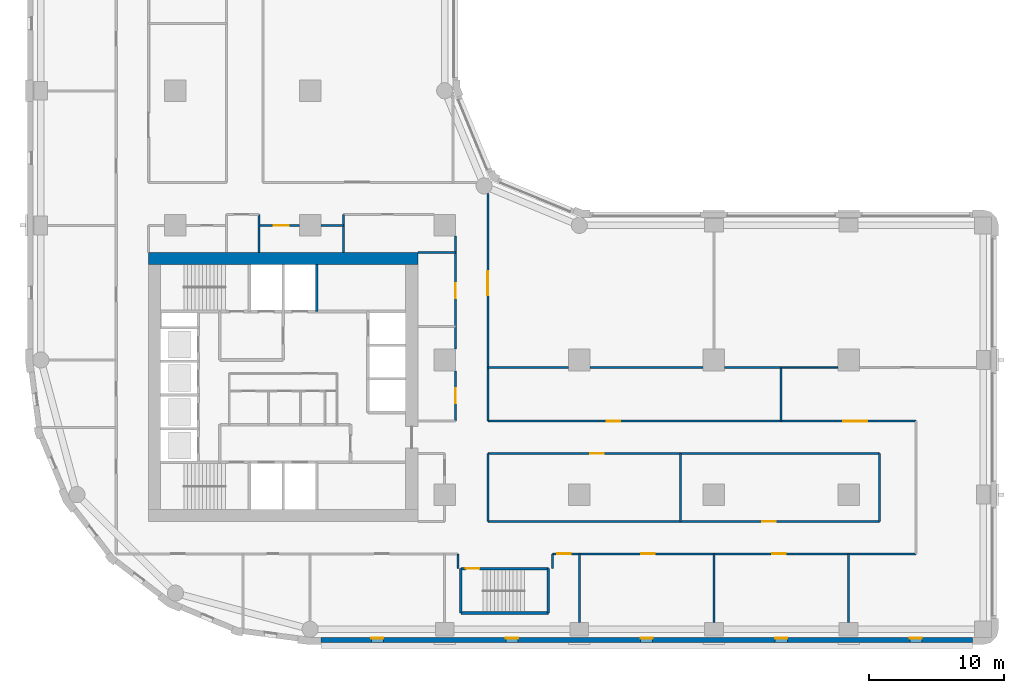
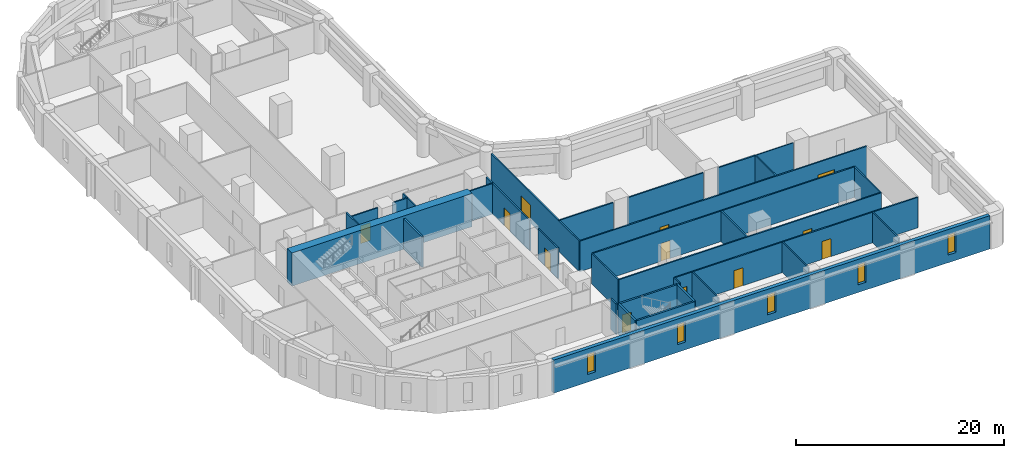
# One storey, part 4 of 11: 32 walls, 12 doors, 5 windows, 17 openings.
"""IFC4 building model written with IfcOpenShell, lengths in metres."""

from ifc_helpers import new_model, si_unit, direction, frame, frame_2d, origin, place, context, subcontext, project, spatial, rectangle, extrude, material, layer, layer_set, type_object, element, fill, save


model = new_model("IFC4")

# Units and contexts
model_context = context("Model", 3, precision=1e-05, world=origin(), true_north=direction((0.0, 1.0)))
body_context = subcontext(model_context, "Body", "Model", "MODEL_VIEW")
ifc_project = project(units=[si_unit("LENGTHUNIT", "METRE"), si_unit("AREAUNIT", "SQUARE_METRE"), si_unit("VOLUMEUNIT", "CUBIC_METRE"), si_unit("PLANEANGLEUNIT", "RADIAN"), si_unit("MASSUNIT", "GRAM", prefix="KILO")], contexts=[model_context])

# Site, building, storey
site_placement = place(None, origin())
site = spatial("IfcSite", under=ifc_project, at=site_placement, CompositionType="ELEMENT")
building_placement = place(site_placement, origin())
building = spatial("IfcBuilding", under=site, at=building_placement, Name="Qaws Garden Tower", CompositionType="ELEMENT")
storey_placement = place(building_placement, frame((0.0, 0.0, 23.699951171875)))
storey = spatial("IfcBuildingStorey", under=building, at=storey_placement, Name="L05", CompositionType="ELEMENT", Elevation=23.699951171875)

# Wall, openings, windows
ifc_material_1 = material(Name="Clay facing brick masonry", Category="masonry")
ifc_layer_1 = layer(ifc_material_1, 0.39990234375)
ifc_layer_set_1 = layer_set([ifc_layer_1], Name="Clay facing brick masonry")
wall_type_1 = type_object("IfcWallType", Name="Brick infill wall 400", PredefinedType="SOLIDWALL", material=ifc_layer_set_1)
wall_1_placement = place(storey_placement, frame((20.800048828125, -0.800048828125, 0.0), z_axis=(0.0, 0.0, 1.0), x_axis=(1.0, 0.0, 0.0)))
wall_1 = element("IfcWall", 1, at=wall_1_placement, inside=storey, type_object=wall_type_1, Name="E-L05-infill-00", PredefinedType="SOLIDWALL", context=body_context, shape_type="SweptSolid", body=[
    extrude(rectangle(XDim=48.39990234375, YDim=0.39990234375, at=frame_2d((24.199951171875, 0.0))), origin(), (0.0, 0.0, 1.0), 3.900146484375),
])
opening_1_placement = place(wall_1_placement, frame((3.75, 0.0, 0.89990234375)))
opening_1 = element("IfcOpeningElement", 2, at=opening_1_placement, cuts=wall_1, Name="Opening W09", PredefinedType="OPENING", context=body_context, shape_type="SweptSolid", body=[
    extrude(rectangle(XDim=0.89990234375, YDim=2.35009765625, at=frame_2d((0.449951171875, 1.175048828125))), frame((0.0, 0.2099609375, 0.0), z_axis=(0.0, -1.0, 0.0), x_axis=(1.0, 0.0, 0.0)), (0.0, 0.0, 1.0), 0.419921875),
])
opening_2_placement = place(wall_1_placement, frame((13.75, 0.0, 0.89990234375)))
opening_2 = element("IfcOpeningElement", 3, at=opening_2_placement, cuts=wall_1, Name="Opening W09", PredefinedType="OPENING", context=body_context, shape_type="SweptSolid", body=[
    extrude(rectangle(XDim=0.89990234375, YDim=2.35009765625, at=frame_2d((0.449951171875, 1.175048828125))), frame((0.0, 0.2099609375, 0.0), z_axis=(0.0, -1.0, 0.0), x_axis=(1.0, 0.0, 0.0)), (0.0, 0.0, 1.0), 0.419921875),
])
opening_3_placement = place(wall_1_placement, frame((23.75, 0.0, 0.89990234375)))
opening_3 = element("IfcOpeningElement", 4, at=opening_3_placement, cuts=wall_1, Name="Opening W09", PredefinedType="OPENING", context=body_context, shape_type="SweptSolid", body=[
    extrude(rectangle(XDim=0.89990234375, YDim=2.35009765625, at=frame_2d((0.449951171875, 1.175048828125))), frame((0.0, 0.2099609375, 0.0), z_axis=(0.0, -1.0, 0.0), x_axis=(1.0, 0.0, 0.0)), (0.0, 0.0, 1.0), 0.419921875),
])
opening_4_placement = place(wall_1_placement, frame((33.75, 0.0, 0.89990234375)))
opening_4 = element("IfcOpeningElement", 5, at=opening_4_placement, cuts=wall_1, Name="Opening W09", PredefinedType="OPENING", context=body_context, shape_type="SweptSolid", body=[
    extrude(rectangle(XDim=0.89990234375, YDim=2.35009765625, at=frame_2d((0.449951171875, 1.175048828125))), frame((0.0, 0.2099609375, 0.0), z_axis=(0.0, -1.0, 0.0), x_axis=(1.0, 0.0, 0.0)), (0.0, 0.0, 1.0), 0.419921875),
])
opening_5_placement = place(wall_1_placement, frame((43.75, 0.0, 0.89990234375)))
opening_5 = element("IfcOpeningElement", 6, at=opening_5_placement, cuts=wall_1, Name="Opening W09", PredefinedType="OPENING", context=body_context, shape_type="SweptSolid", body=[
    extrude(rectangle(XDim=0.89990234375, YDim=2.35009765625, at=frame_2d((0.449951171875, 1.175048828125))), frame((0.0, 0.2099609375, 0.0), z_axis=(0.0, -1.0, 0.0), x_axis=(1.0, 0.0, 0.0)), (0.0, 0.0, 1.0), 0.419921875),
])
ifc_material_2 = material(Name="Aluminium framed window, clear glazing", Category="aluminium")
window_type = type_object("IfcWindowType", Name="Slit window 900 x 2350", PartitioningType="SINGLE_PANEL", PredefinedType="WINDOW", material=ifc_material_2)
window_1_placement = place(opening_1_placement, origin())
window_1 = element("IfcWindow", 7, at=window_1_placement, inside=storey, type_object=window_type, Name="E-L05-window-00-0", OverallHeight=2.35009765625, OverallWidth=0.89990234375, PartitioningType="SINGLE_PANEL", PredefinedType="WINDOW", context=body_context, shape_type="SweptSolid", body=[
    extrude(rectangle(XDim=0.89990234375, YDim=2.35009765625, at=frame_2d((0.449951171875, 1.175048828125))), frame((0.0, 0.159912109375, 0.0), z_axis=(0.0, -1.0, 0.0), x_axis=(1.0, 0.0, 0.0)), (0.0, 0.0, 1.0), 0.06005859375),
])
fill(opening_1, window_1)
window_2_placement = place(opening_2_placement, origin())
window_2 = element("IfcWindow", 8, at=window_2_placement, inside=storey, type_object=window_type, Name="E-L05-window-01-0", OverallHeight=2.35009765625, OverallWidth=0.89990234375, PartitioningType="SINGLE_PANEL", PredefinedType="WINDOW", context=body_context, shape_type="SweptSolid", body=[
    extrude(rectangle(XDim=0.89990234375, YDim=2.35009765625, at=frame_2d((0.449951171875, 1.175048828125))), frame((0.0, 0.159912109375, 0.0), z_axis=(0.0, -1.0, 0.0), x_axis=(1.0, 0.0, 0.0)), (0.0, 0.0, 1.0), 0.06005859375),
])
fill(opening_2, window_2)
window_3_placement = place(opening_3_placement, origin())
window_3 = element("IfcWindow", 9, at=window_3_placement, inside=storey, type_object=window_type, Name="E-L05-window-02-0", OverallHeight=2.35009765625, OverallWidth=0.89990234375, PartitioningType="SINGLE_PANEL", PredefinedType="WINDOW", context=body_context, shape_type="SweptSolid", body=[
    extrude(rectangle(XDim=0.89990234375, YDim=2.35009765625, at=frame_2d((0.449951171875, 1.175048828125))), frame((0.0, 0.159912109375, 0.0), z_axis=(0.0, -1.0, 0.0), x_axis=(1.0, 0.0, 0.0)), (0.0, 0.0, 1.0), 0.06005859375),
])
fill(opening_3, window_3)
window_4_placement = place(opening_4_placement, origin())
window_4 = element("IfcWindow", 10, at=window_4_placement, inside=storey, type_object=window_type, Name="E-L05-window-03-0", OverallHeight=2.35009765625, OverallWidth=0.89990234375, PartitioningType="SINGLE_PANEL", PredefinedType="WINDOW", context=body_context, shape_type="SweptSolid", body=[
    extrude(rectangle(XDim=0.89990234375, YDim=2.35009765625, at=frame_2d((0.449951171875, 1.175048828125))), frame((0.0, 0.159912109375, 0.0), z_axis=(0.0, -1.0, 0.0), x_axis=(1.0, 0.0, 0.0)), (0.0, 0.0, 1.0), 0.06005859375),
])
fill(opening_4, window_4)
window_5_placement = place(opening_5_placement, origin())
window_5 = element("IfcWindow", 11, at=window_5_placement, inside=storey, type_object=window_type, Name="E-L05-window-04-0", OverallHeight=2.35009765625, OverallWidth=0.89990234375, PartitioningType="SINGLE_PANEL", PredefinedType="WINDOW", context=body_context, shape_type="SweptSolid", body=[
    extrude(rectangle(XDim=0.89990234375, YDim=2.35009765625, at=frame_2d((0.449951171875, 1.175048828125))), frame((0.0, 0.159912109375, 0.0), z_axis=(0.0, -1.0, 0.0), x_axis=(1.0, 0.0, 0.0)), (0.0, 0.0, 1.0), 0.06005859375),
])
fill(opening_5, window_5)

# Wall
ifc_material_3 = material(Name="Concrete C80", Category="concrete")
ifc_layer_2 = layer(ifc_material_3, 0.199951171875)
ifc_layer_set_2 = layer_set([ifc_layer_2], Name="Concrete C80")
wall_type_2 = type_object("IfcWallType", Name="Core shaft wall 200 C80", PredefinedType="SHEAR", material=ifc_layer_set_2)
wall_2_placement = place(storey_placement, frame((31.199951171875, 1.199951171875, 0.0), z_axis=(0.0, 0.0, 1.0), x_axis=(1.0, 0.0, 0.0)))
element("IfcWall", 12, at=wall_2_placement, inside=storey, type_object=wall_type_2, Name="Shaft wall", PredefinedType="SHEAR", context=body_context, shape_type="SweptSolid", body=[
    extrude(rectangle(XDim=6.5, YDim=0.199951171875, at=frame_2d((3.25, 0.0))), origin(), (0.0, 0.0, 1.0), 3.580078125),
])

# Wall, opening, door
wall_3_placement = place(storey_placement, frame((31.199951171875, 4.5, 0.0), z_axis=(0.0, 0.0, 1.0), x_axis=(1.0, 0.0, 0.0)))
wall_3 = element("IfcWall", 13, at=wall_3_placement, inside=storey, type_object=wall_type_2, Name="Shaft wall", PredefinedType="SHEAR", context=body_context, shape_type="SweptSolid", body=[
    extrude(rectangle(XDim=6.5, YDim=0.199951171875, at=frame_2d((3.25, 0.0))), origin(), (0.0, 0.0, 1.0), 3.580078125),
])
opening_6_placement = place(wall_3_placement, frame((0.375, 0.0, 0.0)))
opening_6 = element("IfcOpeningElement", 14, at=opening_6_placement, cuts=wall_3, Name="Opening SD12", PredefinedType="OPENING", context=body_context, shape_type="SweptSolid", body=[
    extrude(rectangle(XDim=1.0, YDim=2.10009765625, at=frame_2d((0.5, 1.050048828125))), frame((0.0, 0.10986328125, 0.0), z_axis=(0.0, -1.0, 0.0), x_axis=(1.0, 0.0, 0.0)), (0.0, 0.0, 1.0), 0.219970703125),
])
ifc_material_4 = material(Name="Steel S235", Category="steel")
door_type_1 = type_object("IfcDoorType", Name="Stair door 1000x2100", OperationType="SINGLE_SWING_RIGHT", PredefinedType="DOOR", material=ifc_material_4)
door_1_placement = place(opening_6_placement, frame((1.0, 0.0, 0.0), z_axis=(0.0, 0.0, 1.0), x_axis=(-1.0, 0.0, 0.0)))
door_1 = element("IfcDoor", 15, at=door_1_placement, inside=storey, type_object=door_type_1, Name="Stair 5 door", OperationType="SINGLE_SWING_RIGHT", OverallHeight=2.10009765625, OverallWidth=1.0, PredefinedType="DOOR", context=body_context, shape_type="SweptSolid", body=[
    extrude(rectangle(XDim=1.0, YDim=2.10009765625, at=frame_2d((0.5, 1.050048828125))), frame((0.0, 0.02490234375, 0.0), z_axis=(0.0, -1.0, 0.0), x_axis=(1.0, 0.0, 0.0)), (0.0, 0.0, 1.0), 0.050048828125),
])
fill(opening_6, door_1)

# Walls
wall_4_placement = place(storey_placement, frame((20.5, 23.60009765625, 0.0), z_axis=(0.0, 0.0, 1.0), x_axis=(0.0, 1.0, 0.0)))
element("IfcWall", 16, at=wall_4_placement, inside=storey, type_object=wall_type_2, Name="Shaft wall", PredefinedType="SHEAR", context=body_context, shape_type="SweptSolid", body=[
    extrude(rectangle(XDim=3.5, YDim=0.199951171875, at=frame_2d((1.75, 0.0))), origin(), (0.0, 0.0, 1.0), 3.580078125),
])
for number, where, z_axis, x_axis, name in (
    (17, (31.199951171875, 1.199951171875, 0.0), (0.0, 0.0, 1.0), (0.0, 1.0, 0.0), "Shaft wall"),
    (18, (37.699951171875, 1.199951171875, 0.0), (0.0, 0.0, 1.0), (0.0, 1.0, 0.0), "Shaft wall"),
):
    element("IfcWall", number, at=place(storey_placement, frame(where, z_axis=z_axis, x_axis=x_axis)), inside=storey, type_object=wall_type_2, Name=name, PredefinedType="SHEAR", context=body_context, shape_type="SweptSolid", body=[
        extrude(rectangle(XDim=3.300048828125, YDim=0.199951171875, at=frame_2d((1.64990234375, 0.0))), origin(), (0.0, 0.0, 1.0), 3.580078125),
    ])
ifc_material_5 = material(Name="Concrete C80", Category="concrete")
ifc_layer_3 = layer(ifc_material_5, 0.89990234375)
ifc_layer_set_3 = layer_set([ifc_layer_3], Name="Concrete C80")
wall_type_3 = type_object("IfcWallType", Name="Core wall 900 C80", PredefinedType="SHEAR", material=ifc_layer_set_3)
wall_5_placement = place(storey_placement, frame((28.0, 27.550048828125, 0.0), z_axis=(0.0, 0.0, 1.0), x_axis=(-1.0, 0.0, 0.0)))
element("IfcWall", 19, at=wall_5_placement, inside=storey, type_object=wall_type_3, Name="Core wall L05 north", PredefinedType="SHEAR", context=body_context, shape_type="SweptSolid", body=[
    extrude(rectangle(XDim=20.0, YDim=0.89990234375, at=frame_2d((10.0, 0.0))), origin(), (0.0, 0.0, 1.0), 3.900146484375),
])
ifc_material_6 = material(Name="Gypsum board partition")
ifc_layer_4 = layer(ifc_material_6, 0.10009765625)
ifc_layer_set_4 = layer_set([ifc_layer_4], Name="Gypsum board partition")
wall_type_4 = type_object("IfcWallType", Name="PARTITION 100", PredefinedType="PARTITIONING", material=ifc_layer_set_4)
wall_6_placement = place(storey_placement, frame((55.0, 19.449951171875, 0.0), z_axis=(0.0, 0.0, 1.0), x_axis=(1.0, 0.0, 0.0)))
element("IfcWall", 20, at=wall_6_placement, inside=storey, type_object=wall_type_4, Name="O-L05-wall-002", PredefinedType="PARTITIONING", context=body_context, shape_type="SweptSolid", body=[
    extrude(rectangle(XDim=4.199951171875, YDim=0.10009765625, at=frame_2d((2.10009765625, 0.0))), origin(), (0.0, 0.0, 1.0), 3.580078125),
])
ifc_material_7 = material(Name="Gypsum board partition")
ifc_layer_5 = layer(ifc_material_7, 0.14990234375)
ifc_layer_set_5 = layer_set([ifc_layer_5], Name="Gypsum board partition")
wall_type_5 = type_object("IfcWallType", Name="PARTITION 150 EI 60", PredefinedType="PARTITIONING", material=ifc_layer_set_5)
for number, where, z_axis, x_axis, name in (
    (21, (16.199951171875, 28.0, 0.0), (0.0, 0.0, 1.0), (0.0, 1.0, 0.0), "O-L05-wall-012"),
    (22, (22.5, 28.0, 0.0), (0.0, 0.0, 1.0), (0.0, 1.0, 0.0), "O-L05-wall-016"),
):
    element("IfcWall", number, at=place(storey_placement, frame(where, z_axis=z_axis, x_axis=x_axis)), inside=storey, type_object=wall_type_5, Name=name, PredefinedType="PARTITIONING", context=body_context, shape_type="SweptSolid", body=[
        extrude(rectangle(XDim=2.800048828125, YDim=0.14990234375, at=frame_2d((1.39990234375, 0.0))), origin(), (0.0, 0.0, 1.0), 3.580078125),
    ])

# Wall, opening, door
wall_7_placement = place(storey_placement, frame((30.800048828125, 15.449951171875, 0.0), z_axis=(0.0, 0.0, 1.0), x_axis=(0.0, 1.0, 0.0)))
wall_7 = element("IfcWall", 23, at=wall_7_placement, inside=storey, type_object=wall_type_5, Name="O-L05-wall-022", PredefinedType="PARTITIONING", context=body_context, shape_type="SweptSolid", body=[
    extrude(rectangle(XDim=3.75, YDim=0.14990234375, at=frame_2d((1.875, 0.0))), origin(), (0.0, 0.0, 1.0), 3.580078125),
])
opening_7_placement = place(wall_7_placement, frame((1.35009765625, 0.0, 0.0)))
opening_7 = element("IfcOpeningElement", 24, at=opening_7_placement, cuts=wall_7, Name="Opening A211", PredefinedType="OPENING", context=body_context, shape_type="SweptSolid", body=[
    extrude(rectangle(XDim=1.10009765625, YDim=2.10009765625, at=frame_2d((0.550048828125, 1.050048828125))), frame((0.0, 0.0849609375, 0.0), z_axis=(0.0, -1.0, 0.0), x_axis=(1.0, 0.0, 0.0)), (0.0, 0.0, 1.0), 0.169921875),
])
ifc_material_8 = material(Name="Timber door leaf", Category="wood")
door_type_2 = type_object("IfcDoorType", Name="SERVICE ROOM DOOR 1100 X 2100", OperationType="SINGLE_SWING_LEFT", PredefinedType="DOOR", material=ifc_material_8)
door_2_placement = place(opening_7_placement, origin())
door_2 = element("IfcDoor", 25, at=door_2_placement, inside=storey, type_object=door_type_2, Name="O-L05-door-011", OperationType="SINGLE_SWING_RIGHT", OverallHeight=2.10009765625, OverallWidth=1.10009765625, PredefinedType="DOOR", context=body_context, shape_type="SweptSolid", body=[
    extrude(rectangle(XDim=1.10009765625, YDim=2.10009765625, at=frame_2d((0.550048828125, 1.050048828125))), frame((0.0, 0.02490234375, 0.0), z_axis=(0.0, -1.0, 0.0), x_axis=(1.0, 0.0, 0.0)), (0.0, 0.0, 1.0), 0.050048828125),
])
fill(opening_7, door_2)

wall_8_placement = place(storey_placement, frame((30.800048828125, 20.800048828125, 0.0), z_axis=(0.0, 0.0, 1.0), x_axis=(0.0, 1.0, 0.0)))
wall_8 = element("IfcWall", 26, at=wall_8_placement, inside=storey, type_object=wall_type_5, Name="O-L05-wall-023", PredefinedType="PARTITIONING", context=body_context, shape_type="SweptSolid", body=[
    extrude(rectangle(XDim=8.39990234375, YDim=0.14990234375, at=frame_2d((4.199951171875, 0.0))), origin(), (0.0, 0.0, 1.0), 3.580078125),
])
opening_8_placement = place(wall_8_placement, frame((3.800048828125, 0.0, 0.0)))
opening_8 = element("IfcOpeningElement", 27, at=opening_8_placement, cuts=wall_8, Name="Opening A213", PredefinedType="OPENING", context=body_context, shape_type="SweptSolid", body=[
    extrude(rectangle(XDim=1.10009765625, YDim=2.10009765625, at=frame_2d((0.550048828125, 1.050048828125))), frame((0.0, 0.0849609375, 0.0), z_axis=(0.0, -1.0, 0.0), x_axis=(1.0, 0.0, 0.0)), (0.0, 0.0, 1.0), 0.169921875),
])
door_3_placement = place(opening_8_placement, origin())
door_3 = element("IfcDoor", 28, at=door_3_placement, inside=storey, type_object=door_type_2, Name="O-L05-door-013", OperationType="SINGLE_SWING_RIGHT", OverallHeight=2.10009765625, OverallWidth=1.10009765625, PredefinedType="DOOR", context=body_context, shape_type="SweptSolid", body=[
    extrude(rectangle(XDim=1.10009765625, YDim=2.10009765625, at=frame_2d((0.550048828125, 1.050048828125))), frame((0.0, 0.02490234375, 0.0), z_axis=(0.0, -1.0, 0.0), x_axis=(1.0, 0.0, 0.0)), (0.0, 0.0, 1.0), 0.050048828125),
])
fill(opening_8, door_3)

# Walls
wall_9_placement = place(storey_placement, frame((31.0, 4.5, 0.0), z_axis=(0.0, 0.0, 1.0), x_axis=(0.0, 1.0, 0.0)))
element("IfcWall", 29, at=wall_9_placement, inside=storey, type_object=wall_type_5, Name="O-L05-wall-024", PredefinedType="PARTITIONING", context=body_context, shape_type="SweptSolid", body=[
    extrude(rectangle(XDim=1.10009765625, YDim=0.14990234375, at=frame_2d((0.550048828125, 0.0))), origin(), (0.0, 0.0, 1.0), 3.580078125),
])
wall_10_placement = place(storey_placement, frame((33.199951171875, 8.0, 0.0), z_axis=(0.0, 0.0, 1.0), x_axis=(0.0, 1.0, 0.0)))
element("IfcWall", 30, at=wall_10_placement, inside=storey, type_object=wall_type_5, Name="O-L05-wall-025", PredefinedType="PARTITIONING", context=body_context, shape_type="SweptSolid", body=[
    extrude(rectangle(XDim=5.050048828125, YDim=0.14990234375, at=frame_2d((2.52490234375, 0.0))), origin(), (0.0, 0.0, 1.0), 3.580078125),
])

# Wall, opening, door
wall_11_placement = place(storey_placement, frame((33.199951171875, 15.449951171875, 0.0), z_axis=(0.0, 0.0, 1.0), x_axis=(0.0, 1.0, 0.0)))
wall_11 = element("IfcWall", 31, at=wall_11_placement, inside=storey, type_object=wall_type_5, Name="O-L05-wall-026", PredefinedType="PARTITIONING", context=body_context, shape_type="SweptSolid", body=[
    extrude(rectangle(XDim=16.912109375, YDim=0.14990234375, at=frame_2d((8.4560546875, 0.0))), origin(), (0.0, 0.0, 1.0), 3.580078125),
])
opening_9_placement = place(wall_11_placement, frame((9.35009765625, 0.0, 0.0)))
opening_9 = element("IfcOpeningElement", 32, at=opening_9_placement, cuts=wall_11, Name="Opening A209", PredefinedType="OPENING", context=body_context, shape_type="SweptSolid", body=[
    extrude(rectangle(XDim=1.800048828125, YDim=2.10009765625, at=frame_2d((0.89990234375, 1.050048828125))), frame((0.0, 0.0849609375, 0.0), z_axis=(0.0, -1.0, 0.0), x_axis=(1.0, 0.0, 0.0)), (0.0, 0.0, 1.0), 0.169921875),
])
ifc_material_9 = material(Name="Timber door leaf", Category="wood")
door_type_3 = type_object("IfcDoorType", Name="DOUBLE DOOR 1800 X 2100", OperationType="DOUBLE_DOOR_SINGLE_SWING", PredefinedType="DOOR", material=ifc_material_9)
door_4_placement = place(opening_9_placement, frame((1.800048828125, 0.0, 0.0), z_axis=(0.0, 0.0, 1.0), x_axis=(-1.0, 0.0, 0.0)))
door_4 = element("IfcDoor", 33, at=door_4_placement, inside=storey, type_object=door_type_3, Name="O-L05-door-009", OperationType="DOUBLE_DOOR_SINGLE_SWING", OverallHeight=2.10009765625, OverallWidth=1.800048828125, PredefinedType="DOOR", context=body_context, shape_type="SweptSolid", body=[
    extrude(rectangle(XDim=1.800048828125, YDim=2.10009765625, at=frame_2d((0.89990234375, 1.050048828125))), frame((0.0, 0.02490234375, 0.0), z_axis=(0.0, -1.0, 0.0), x_axis=(1.0, 0.0, 0.0)), (0.0, 0.0, 1.0), 0.050048828125),
])
fill(opening_9, door_4)

# Walls
wall_12_placement = place(storey_placement, frame((38.0, 4.5, 0.0), z_axis=(0.0, 0.0, 1.0), x_axis=(0.0, 1.0, 0.0)))
element("IfcWall", 34, at=wall_12_placement, inside=storey, type_object=wall_type_5, Name="O-L05-wall-027", PredefinedType="PARTITIONING", context=body_context, shape_type="SweptSolid", body=[
    extrude(rectangle(XDim=1.10009765625, YDim=0.14990234375, at=frame_2d((0.550048828125, 0.0))), origin(), (0.0, 0.0, 1.0), 3.580078125),
])
wall_13_placement = place(storey_placement, frame((40.0, 0.5, 0.0), z_axis=(0.0, 0.0, 1.0), x_axis=(0.0, 1.0, 0.0)))
element("IfcWall", 35, at=wall_13_placement, inside=storey, type_object=wall_type_5, Name="O-L05-wall-028", PredefinedType="PARTITIONING", context=body_context, shape_type="SweptSolid", body=[
    extrude(rectangle(XDim=5.10009765625, YDim=0.14990234375, at=frame_2d((2.550048828125, 0.0))), origin(), (0.0, 0.0, 1.0), 3.580078125),
])
wall_14_placement = place(storey_placement, frame((47.5, 8.0, 0.0), z_axis=(0.0, 0.0, 1.0), x_axis=(0.0, 1.0, 0.0)))
element("IfcWall", 36, at=wall_14_placement, inside=storey, type_object=wall_type_5, Name="O-L05-wall-029", PredefinedType="PARTITIONING", context=body_context, shape_type="SweptSolid", body=[
    extrude(rectangle(XDim=5.050048828125, YDim=0.14990234375, at=frame_2d((2.52490234375, 0.0))), origin(), (0.0, 0.0, 1.0), 3.580078125),
])
wall_15_placement = place(storey_placement, frame((50.0, 0.5, 0.0), z_axis=(0.0, 0.0, 1.0), x_axis=(0.0, 1.0, 0.0)))
element("IfcWall", 37, at=wall_15_placement, inside=storey, type_object=wall_type_5, Name="O-L05-wall-030", PredefinedType="PARTITIONING", context=body_context, shape_type="SweptSolid", body=[
    extrude(rectangle(XDim=5.10009765625, YDim=0.14990234375, at=frame_2d((2.550048828125, 0.0))), origin(), (0.0, 0.0, 1.0), 3.580078125),
])
wall_16_placement = place(storey_placement, frame((55.0, 15.449951171875, 0.0), z_axis=(0.0, 0.0, 1.0), x_axis=(0.0, 1.0, 0.0)))
element("IfcWall", 38, at=wall_16_placement, inside=storey, type_object=wall_type_5, Name="O-L05-wall-032", PredefinedType="PARTITIONING", context=body_context, shape_type="SweptSolid", body=[
    extrude(rectangle(XDim=4.0, YDim=0.14990234375, at=frame_2d((2.0, 0.0))), origin(), (0.0, 0.0, 1.0), 3.580078125),
])
wall_17_placement = place(storey_placement, frame((60.0, 0.5, 0.0), z_axis=(0.0, 0.0, 1.0), x_axis=(0.0, 1.0, 0.0)))
element("IfcWall", 39, at=wall_17_placement, inside=storey, type_object=wall_type_5, Name="O-L05-wall-033", PredefinedType="PARTITIONING", context=body_context, shape_type="SweptSolid", body=[
    extrude(rectangle(XDim=5.10009765625, YDim=0.14990234375, at=frame_2d((2.550048828125, 0.0))), origin(), (0.0, 0.0, 1.0), 3.580078125),
])
wall_18_placement = place(storey_placement, frame((62.300048828125, 8.0, 0.0), z_axis=(0.0, 0.0, 1.0), x_axis=(0.0, 1.0, 0.0)))
element("IfcWall", 40, at=wall_18_placement, inside=storey, type_object=wall_type_5, Name="O-L05-wall-034", PredefinedType="PARTITIONING", context=body_context, shape_type="SweptSolid", body=[
    extrude(rectangle(XDim=5.050048828125, YDim=0.14990234375, at=frame_2d((2.52490234375, 0.0))), origin(), (0.0, 0.0, 1.0), 3.580078125),
])

# Wall, openings, doors
wall_19_placement = place(storey_placement, frame((38.0, 5.60009765625, 0.0), z_axis=(0.0, 0.0, 1.0), x_axis=(1.0, 0.0, 0.0)))
wall_19 = element("IfcWall", 41, at=wall_19_placement, inside=storey, type_object=wall_type_5, Name="O-L05-wall-037", PredefinedType="PARTITIONING", context=body_context, shape_type="SweptSolid", body=[
    extrude(rectangle(XDim=27.0, YDim=0.14990234375, at=frame_2d((13.5, 0.0))), origin(), (0.0, 0.0, 1.0), 3.580078125),
])
opening_10_placement = place(wall_19_placement, frame((6.60009765625, 0.0, 0.0)))
opening_10 = element("IfcOpeningElement", 42, at=opening_10_placement, cuts=wall_19, Name="Opening A203", PredefinedType="OPENING", context=body_context, shape_type="SweptSolid", body=[
    extrude(rectangle(XDim=1.0, YDim=2.10009765625, at=frame_2d((0.5, 1.050048828125))), frame((0.0, 0.0849609375, 0.0), z_axis=(0.0, -1.0, 0.0), x_axis=(1.0, 0.0, 0.0)), (0.0, 0.0, 1.0), 0.169921875),
])
opening_11_placement = place(wall_19_placement, frame((16.35009765625, 0.0, 0.0)))
opening_11 = element("IfcOpeningElement", 43, at=opening_11_placement, cuts=wall_19, Name="Opening A204", PredefinedType="OPENING", context=body_context, shape_type="SweptSolid", body=[
    extrude(rectangle(XDim=1.0, YDim=2.10009765625, at=frame_2d((0.5, 1.050048828125))), frame((0.0, 0.0849609375, 0.0), z_axis=(0.0, -1.0, 0.0), x_axis=(1.0, 0.0, 0.0)), (0.0, 0.0, 1.0), 0.169921875),
])
opening_12_placement = place(wall_19_placement, frame((0.35009765625, 0.0, 0.0)))
opening_12 = element("IfcOpeningElement", 44, at=opening_12_placement, cuts=wall_19, Name="Opening A229", PredefinedType="OPENING", context=body_context, shape_type="SweptSolid", body=[
    extrude(rectangle(XDim=1.0, YDim=2.10009765625, at=frame_2d((0.5, 1.050048828125))), frame((0.0, 0.0849609375, 0.0), z_axis=(0.0, -1.0, 0.0), x_axis=(1.0, 0.0, 0.0)), (0.0, 0.0, 1.0), 0.169921875),
])
ifc_material_10 = material(Name="Timber door leaf", Category="wood")
door_type_4 = type_object("IfcDoorType", Name="TENANCY ENTRANCE DOOR 1000 X 2100", OperationType="SINGLE_SWING_LEFT", PredefinedType="DOOR", material=ifc_material_10)
door_5_placement = place(opening_10_placement, frame((1.0, 0.0, 0.0), z_axis=(0.0, 0.0, 1.0), x_axis=(-1.0, 0.0, 0.0)))
door_5 = element("IfcDoor", 45, at=door_5_placement, inside=storey, type_object=door_type_4, Name="O-L05-door-003", OperationType="SINGLE_SWING_RIGHT", OverallHeight=2.10009765625, OverallWidth=1.0, PredefinedType="DOOR", context=body_context, shape_type="SweptSolid", body=[
    extrude(rectangle(XDim=1.0, YDim=2.10009765625, at=frame_2d((0.5, 1.050048828125))), frame((0.0, 0.02490234375, 0.0), z_axis=(0.0, -1.0, 0.0), x_axis=(1.0, 0.0, 0.0)), (0.0, 0.0, 1.0), 0.050048828125),
])
fill(opening_10, door_5)
door_6_placement = place(opening_11_placement, frame((1.0, 0.0, 0.0), z_axis=(0.0, 0.0, 1.0), x_axis=(-1.0, 0.0, 0.0)))
door_6 = element("IfcDoor", 46, at=door_6_placement, inside=storey, type_object=door_type_4, Name="O-L05-door-004", OperationType="SINGLE_SWING_RIGHT", OverallHeight=2.10009765625, OverallWidth=1.0, PredefinedType="DOOR", context=body_context, shape_type="SweptSolid", body=[
    extrude(rectangle(XDim=1.0, YDim=2.10009765625, at=frame_2d((0.5, 1.050048828125))), frame((0.0, 0.02490234375, 0.0), z_axis=(0.0, -1.0, 0.0), x_axis=(1.0, 0.0, 0.0)), (0.0, 0.0, 1.0), 0.050048828125),
])
fill(opening_11, door_6)
door_7_placement = place(opening_12_placement, frame((1.0, 0.0, 0.0), z_axis=(0.0, 0.0, 1.0), x_axis=(-1.0, 0.0, 0.0)))
door_7 = element("IfcDoor", 47, at=door_7_placement, inside=storey, type_object=door_type_4, Name="O-L05-door-029", OperationType="SINGLE_SWING_RIGHT", OverallHeight=2.10009765625, OverallWidth=1.0, PredefinedType="DOOR", context=body_context, shape_type="SweptSolid", body=[
    extrude(rectangle(XDim=1.0, YDim=2.10009765625, at=frame_2d((0.5, 1.050048828125))), frame((0.0, 0.02490234375, 0.0), z_axis=(0.0, -1.0, 0.0), x_axis=(1.0, 0.0, 0.0)), (0.0, 0.0, 1.0), 0.050048828125),
])
fill(opening_12, door_7)

# Wall, opening, door
wall_20_placement = place(storey_placement, frame((33.199951171875, 8.0, 0.0), z_axis=(0.0, 0.0, 1.0), x_axis=(1.0, 0.0, 0.0)))
wall_20 = element("IfcWall", 48, at=wall_20_placement, inside=storey, type_object=wall_type_5, Name="O-L05-wall-039", PredefinedType="PARTITIONING", context=body_context, shape_type="SweptSolid", body=[
    extrude(rectangle(XDim=29.10009765625, YDim=0.14990234375, at=frame_2d((14.550048828125, 0.0))), origin(), (0.0, 0.0, 1.0), 3.580078125),
])
opening_13_placement = place(wall_20_placement, frame((20.39990234375, 0.0, 0.0)))
opening_13 = element("IfcOpeningElement", 49, at=opening_13_placement, cuts=wall_20, Name="Opening A207", PredefinedType="OPENING", context=body_context, shape_type="SweptSolid", body=[
    extrude(rectangle(XDim=1.0, YDim=2.10009765625, at=frame_2d((0.5, 1.050048828125))), frame((0.0, 0.0849609375, 0.0), z_axis=(0.0, -1.0, 0.0), x_axis=(1.0, 0.0, 0.0)), (0.0, 0.0, 1.0), 0.169921875),
])
door_8_placement = place(opening_13_placement, origin())
door_8 = element("IfcDoor", 50, at=door_8_placement, inside=storey, type_object=door_type_4, Name="O-L05-door-007", OperationType="SINGLE_SWING_LEFT", OverallHeight=2.10009765625, OverallWidth=1.0, PredefinedType="DOOR", context=body_context, shape_type="SweptSolid", body=[
    extrude(rectangle(XDim=1.0, YDim=2.10009765625, at=frame_2d((0.5, 1.050048828125))), frame((0.0, 0.02490234375, 0.0), z_axis=(0.0, -1.0, 0.0), x_axis=(1.0, 0.0, 0.0)), (0.0, 0.0, 1.0), 0.050048828125),
])
fill(opening_13, door_8)

wall_21_placement = place(storey_placement, frame((33.199951171875, 13.050048828125, 0.0), z_axis=(0.0, 0.0, 1.0), x_axis=(1.0, 0.0, 0.0)))
wall_21 = element("IfcWall", 51, at=wall_21_placement, inside=storey, type_object=wall_type_5, Name="O-L05-wall-041", PredefinedType="PARTITIONING", context=body_context, shape_type="SweptSolid", body=[
    extrude(rectangle(XDim=29.10009765625, YDim=0.14990234375, at=frame_2d((14.550048828125, 0.0))), origin(), (0.0, 0.0, 1.0), 3.580078125),
])
opening_14_placement = place(wall_21_placement, frame((7.60009765625, 0.0, 0.0)))
opening_14 = element("IfcOpeningElement", 52, at=opening_14_placement, cuts=wall_21, Name="Opening A206", PredefinedType="OPENING", context=body_context, shape_type="SweptSolid", body=[
    extrude(rectangle(XDim=1.0, YDim=2.10009765625, at=frame_2d((0.5, 1.050048828125))), frame((0.0, 0.0849609375, 0.0), z_axis=(0.0, -1.0, 0.0), x_axis=(1.0, 0.0, 0.0)), (0.0, 0.0, 1.0), 0.169921875),
])
door_9_placement = place(opening_14_placement, frame((1.0, 0.0, 0.0), z_axis=(0.0, 0.0, 1.0), x_axis=(-1.0, 0.0, 0.0)))
door_9 = element("IfcDoor", 53, at=door_9_placement, inside=storey, type_object=door_type_4, Name="O-L05-door-006", OperationType="SINGLE_SWING_RIGHT", OverallHeight=2.10009765625, OverallWidth=1.0, PredefinedType="DOOR", context=body_context, shape_type="SweptSolid", body=[
    extrude(rectangle(XDim=1.0, YDim=2.10009765625, at=frame_2d((0.5, 1.050048828125))), frame((0.0, 0.02490234375, 0.0), z_axis=(0.0, -1.0, 0.0), x_axis=(1.0, 0.0, 0.0)), (0.0, 0.0, 1.0), 0.050048828125),
])
fill(opening_14, door_9)

# Wall, openings, doors
wall_22_placement = place(storey_placement, frame((33.199951171875, 15.449951171875, 0.0), z_axis=(0.0, 0.0, 1.0), x_axis=(1.0, 0.0, 0.0)))
wall_22 = element("IfcWall", 54, at=wall_22_placement, inside=storey, type_object=wall_type_5, Name="O-L05-wall-044", PredefinedType="PARTITIONING", context=body_context, shape_type="SweptSolid", body=[
    extrude(rectangle(XDim=31.800048828125, YDim=0.14990234375, at=frame_2d((15.89990234375, 0.0))), origin(), (0.0, 0.0, 1.0), 3.580078125),
])
opening_15_placement = place(wall_22_placement, frame((26.39990234375, 0.0, 0.0)))
opening_15 = element("IfcOpeningElement", 55, at=opening_15_placement, cuts=wall_22, Name="Opening A205", PredefinedType="OPENING", context=body_context, shape_type="SweptSolid", body=[
    extrude(rectangle(XDim=1.800048828125, YDim=2.10009765625, at=frame_2d((0.89990234375, 1.050048828125))), frame((0.0, 0.0849609375, 0.0), z_axis=(0.0, -1.0, 0.0), x_axis=(1.0, 0.0, 0.0)), (0.0, 0.0, 1.0), 0.169921875),
])
opening_16_placement = place(wall_22_placement, frame((8.85009765625, 0.0, 0.0)))
opening_16 = element("IfcOpeningElement", 56, at=opening_16_placement, cuts=wall_22, Name="Opening A208", PredefinedType="OPENING", context=body_context, shape_type="SweptSolid", body=[
    extrude(rectangle(XDim=1.0, YDim=2.10009765625, at=frame_2d((0.5, 1.050048828125))), frame((0.0, 0.0849609375, 0.0), z_axis=(0.0, -1.0, 0.0), x_axis=(1.0, 0.0, 0.0)), (0.0, 0.0, 1.0), 0.169921875),
])
door_10_placement = place(opening_15_placement, origin())
door_10 = element("IfcDoor", 57, at=door_10_placement, inside=storey, type_object=door_type_3, Name="O-L05-door-005", OperationType="DOUBLE_DOOR_SINGLE_SWING", OverallHeight=2.10009765625, OverallWidth=1.800048828125, PredefinedType="DOOR", context=body_context, shape_type="SweptSolid", body=[
    extrude(rectangle(XDim=1.800048828125, YDim=2.10009765625, at=frame_2d((0.89990234375, 1.050048828125))), frame((0.0, 0.02490234375, 0.0), z_axis=(0.0, -1.0, 0.0), x_axis=(1.0, 0.0, 0.0)), (0.0, 0.0, 1.0), 0.050048828125),
])
fill(opening_15, door_10)
door_11_placement = place(opening_16_placement, origin())
door_11 = element("IfcDoor", 58, at=door_11_placement, inside=storey, type_object=door_type_4, Name="O-L05-door-008", OperationType="SINGLE_SWING_LEFT", OverallHeight=2.10009765625, OverallWidth=1.0, PredefinedType="DOOR", context=body_context, shape_type="SweptSolid", body=[
    extrude(rectangle(XDim=1.0, YDim=2.10009765625, at=frame_2d((0.5, 1.050048828125))), frame((0.0, 0.02490234375, 0.0), z_axis=(0.0, -1.0, 0.0), x_axis=(1.0, 0.0, 0.0)), (0.0, 0.0, 1.0), 0.050048828125),
])
fill(opening_16, door_11)

# Walls
wall_23_placement = place(storey_placement, frame((33.199951171875, 19.449951171875, 0.0), z_axis=(0.0, 0.0, 1.0), x_axis=(1.0, 0.0, 0.0)))
element("IfcWall", 59, at=wall_23_placement, inside=storey, type_object=wall_type_5, Name="O-L05-wall-045", PredefinedType="PARTITIONING", context=body_context, shape_type="SweptSolid", body=[
    extrude(rectangle(XDim=6.0, YDim=0.14990234375, at=frame_2d((3.0, 0.0))), origin(), (0.0, 0.0, 1.0), 3.580078125),
])
wall_24_placement = place(storey_placement, frame((40.800048828125, 19.449951171875, 0.0), z_axis=(0.0, 0.0, 1.0), x_axis=(1.0, 0.0, 0.0)))
element("IfcWall", 60, at=wall_24_placement, inside=storey, type_object=wall_type_5, Name="O-L05-wall-046", PredefinedType="PARTITIONING", context=body_context, shape_type="SweptSolid", body=[
    extrude(rectangle(XDim=8.39990234375, YDim=0.14990234375, at=frame_2d((4.199951171875, 0.0))), origin(), (0.0, 0.0, 1.0), 3.580078125),
])
wall_25_placement = place(storey_placement, frame((50.800048828125, 19.449951171875, 0.0), z_axis=(0.0, 0.0, 1.0), x_axis=(1.0, 0.0, 0.0)))
element("IfcWall", 61, at=wall_25_placement, inside=storey, type_object=wall_type_5, Name="O-L05-wall-047", PredefinedType="PARTITIONING", context=body_context, shape_type="SweptSolid", body=[
    extrude(rectangle(XDim=4.199951171875, YDim=0.14990234375, at=frame_2d((2.10009765625, 0.0))), origin(), (0.0, 0.0, 1.0), 3.580078125),
])
wall_26_placement = place(storey_placement, frame((28.0, 28.0, 0.0), z_axis=(0.0, 0.0, 1.0), x_axis=(1.0, 0.0, 0.0)))
element("IfcWall", 62, at=wall_26_placement, inside=storey, type_object=wall_type_5, Name="O-L05-wall-050", PredefinedType="PARTITIONING", context=body_context, shape_type="SweptSolid", body=[
    extrude(rectangle(XDim=2.800048828125, YDim=0.14990234375, at=frame_2d((1.39990234375, 0.0))), origin(), (0.0, 0.0, 1.0), 3.580078125),
])

# Wall, opening, door
wall_27_placement = place(storey_placement, frame((16.199951171875, 30.0, 0.0), z_axis=(0.0, 0.0, 1.0), x_axis=(1.0, 0.0, 0.0)))
wall_27 = element("IfcWall", 63, at=wall_27_placement, inside=storey, type_object=wall_type_5, Name="O-L05-wall-054", PredefinedType="PARTITIONING", context=body_context, shape_type="SweptSolid", body=[
    extrude(rectangle(XDim=3.0, YDim=0.14990234375, at=frame_2d((1.5, 0.0))), origin(), (0.0, 0.0, 1.0), 3.580078125),
])
opening_17_placement = place(wall_27_placement, frame((1.10009765625, 0.0, 0.0)))
opening_17 = element("IfcOpeningElement", 64, at=opening_17_placement, cuts=wall_27, Name="Opening A215", PredefinedType="OPENING", context=body_context, shape_type="SweptSolid", body=[
    extrude(rectangle(XDim=1.10009765625, YDim=2.10009765625, at=frame_2d((0.550048828125, 1.050048828125))), frame((0.0, 0.0849609375, 0.0), z_axis=(0.0, -1.0, 0.0), x_axis=(1.0, 0.0, 0.0)), (0.0, 0.0, 1.0), 0.169921875),
])
door_12_placement = place(opening_17_placement, frame((1.10009765625, 0.0, 0.0), z_axis=(0.0, 0.0, 1.0), x_axis=(-1.0, 0.0, 0.0)))
door_12 = element("IfcDoor", 65, at=door_12_placement, inside=storey, type_object=door_type_2, Name="O-L05-door-015", OperationType="SINGLE_SWING_LEFT", OverallHeight=2.10009765625, OverallWidth=1.10009765625, PredefinedType="DOOR", context=body_context, shape_type="SweptSolid", body=[
    extrude(rectangle(XDim=1.10009765625, YDim=2.10009765625, at=frame_2d((0.550048828125, 1.050048828125))), frame((0.0, 0.02490234375, 0.0), z_axis=(0.0, -1.0, 0.0), x_axis=(1.0, 0.0, 0.0)), (0.0, 0.0, 1.0), 0.050048828125),
])
fill(opening_17, door_12)

# Wall
wall_28_placement = place(storey_placement, frame((20.800048828125, 30.0, 0.0), z_axis=(0.0, 0.0, 1.0), x_axis=(1.0, 0.0, 0.0)))
element("IfcWall", 66, at=wall_28_placement, inside=storey, type_object=wall_type_5, Name="O-L05-wall-055", PredefinedType="PARTITIONING", context=body_context, shape_type="SweptSolid", body=[
    extrude(rectangle(XDim=1.699951171875, YDim=0.14990234375, at=frame_2d((0.85009765625, 0.0))), origin(), (0.0, 0.0, 1.0), 3.580078125),
])

save(model, "model.ifc")
